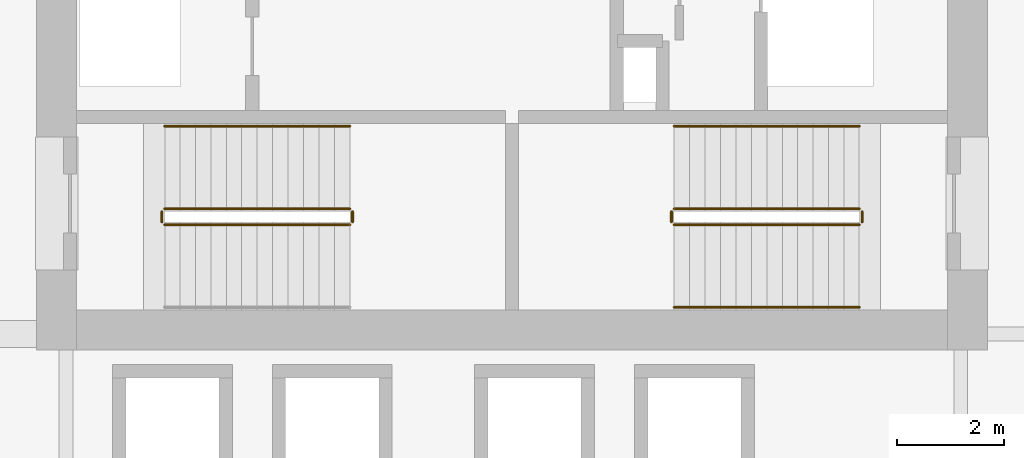
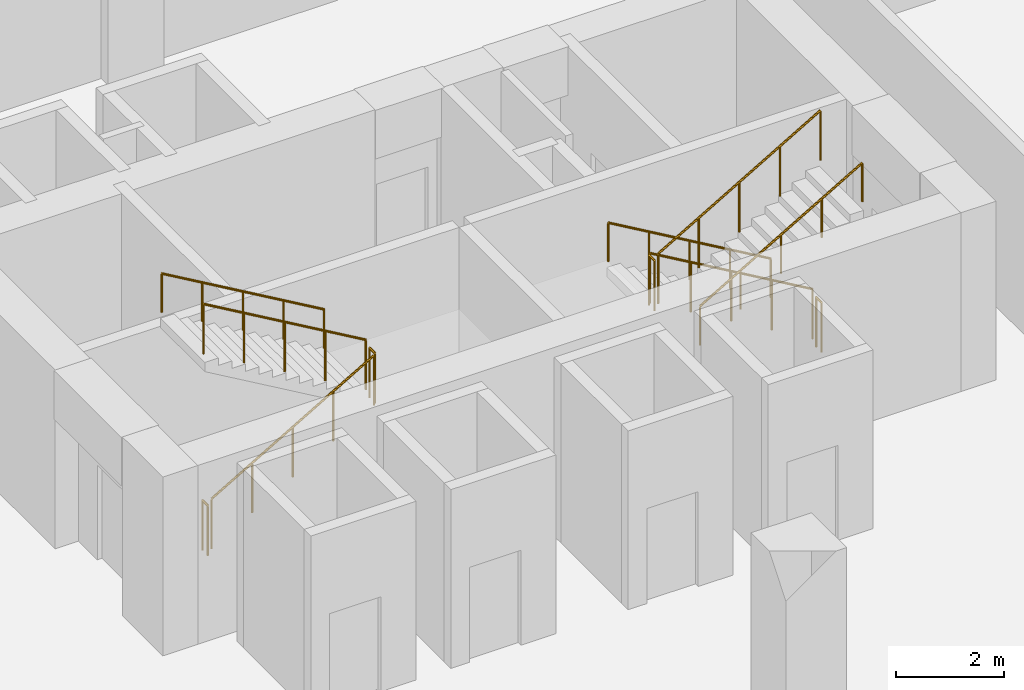
# One storey, part 22 of 24: 11 railings.
"""IFC4 building model written with IfcOpenShell, lengths in metres."""

from ifc_helpers import new_model, si_unit, direction, frame, origin, origin_2d, place, context, subcontext, project, spatial, circle, extrude, material, type_object, element, save


model = new_model("IFC4")

# Units and contexts
model_context = context("Model", 3, precision=1e-05, world=origin(), true_north=direction((0.0, 1.0)))
body_context = subcontext(model_context, "Body", "Model", "MODEL_VIEW")
ifc_project = project(units=[si_unit("LENGTHUNIT", "METRE"), si_unit("AREAUNIT", "SQUARE_METRE"), si_unit("VOLUMEUNIT", "CUBIC_METRE"), si_unit("PLANEANGLEUNIT", "RADIAN"), si_unit("MASSUNIT", "GRAM", prefix="KILO")], contexts=[model_context])

# Site, building, storey
site_placement = place(None, origin())
site = spatial("IfcSite", under=ifc_project, at=site_placement, CompositionType="ELEMENT")
building_placement = place(site_placement, origin())
building = spatial("IfcBuilding", under=site, at=building_placement, Name="Koriwani Terraces Tower", CompositionType="ELEMENT")
storey_placement = place(building_placement, frame((0.0, 0.0, 89.60009765625)))
storey = spatial("IfcBuildingStorey", under=building, at=storey_placement, Name="L21", CompositionType="ELEMENT", Elevation=89.60009765625)

# Railings
ifc_material = material(Name="Steel ASTM A572 Grade 50", Category="steel")
railing_type_1 = type_object("IfcRailingType", Name="GUARD_STAIR_WELL_1120", PredefinedType="GUARDRAIL", material=ifc_material)
railing_1_placement = place(storey_placement, frame((43.85009765625, 18.85009765625, 0.169189453125)))
element("IfcRailing", 1, at=railing_1_placement, inside=storey, type_object=railing_type_1, Name="L21 ST-E1 stair guard 1", PredefinedType="GUARDRAIL", context=body_context, shape_type="SweptSolid", body=[
    extrude(circle(Radius=0.02392578125, at=origin_2d()), frame((0.0, 0.0, 1.1259765625), z_axis=(0.863695377172, 0.0, 0.504014181796), x_axis=(0.0, 1.0, 0.0)), (0.0, 0.0, 1.0), 4.029296875),
    extrude(circle(Radius=0.02099609375, at=origin_2d()), origin(), (0.0, 0.0, 1.0), 1.101806640625),
    extrude(circle(Radius=0.02099609375, at=origin_2d()), frame((0.8701171875, 0.0, 0.5078125)), (0.0, 0.0, 1.0), 1.101806640625),
    extrude(circle(Radius=0.02099609375, at=origin_2d()), frame((1.739990234375, 0.0, 1.015380859375)), (0.0, 0.0, 1.0), 1.101806640625),
    extrude(circle(Radius=0.02099609375, at=origin_2d()), frame((2.60986328125, 0.0, 1.52294921875)), (0.0, 0.0, 1.0), 1.101806640625),
    extrude(circle(Radius=0.02099609375, at=origin_2d()), frame((3.47998046875, 0.0, 2.03076171875)), (0.0, 0.0, 1.0), 1.101806640625),
])
railing_2_placement = place(storey_placement, frame((47.3798828125, 18.89990234375, 2.199951171875)))
element("IfcRailing", 2, at=railing_2_placement, inside=storey, type_object=railing_type_1, Name="L21 ST-E1 stair guard 2", PredefinedType="GUARDRAIL", context=body_context, shape_type="SweptSolid", body=[
    extrude(circle(Radius=0.02392578125, at=origin_2d()), frame((0.0, 0.0, 1.1259765625), z_axis=(0.0, 1.0, 0.0), x_axis=(-1.0, 0.0, 0.0)), (0.0, 0.0, 1.0), 0.2001953125),
    extrude(circle(Radius=0.02099609375, at=origin_2d()), origin(), (0.0, 0.0, 1.0), 1.101806640625),
    extrude(circle(Radius=0.02099609375, at=origin_2d()), frame((0.0, 0.2001953125, 0.0)), (0.0, 0.0, 1.0), 1.101806640625),
])
railing_3_placement = place(storey_placement, frame((47.330078125, 19.14990234375, 2.369140625)))
element("IfcRailing", 3, at=railing_3_placement, inside=storey, type_object=railing_type_1, Name="L21 ST-E1 stair guard 3", PredefinedType="GUARDRAIL", context=body_context, shape_type="SweptSolid", body=[
    extrude(circle(Radius=0.02392578125, at=origin_2d()), frame((0.0, 0.0, 1.1259765625), z_axis=(-0.863695377172, 0.0, 0.504014181796), x_axis=(0.0, -1.0, 0.0)), (0.0, 0.0, 1.0), 4.029296875),
    extrude(circle(Radius=0.02099609375, at=origin_2d()), origin(), (0.0, 0.0, 1.0), 1.101806640625),
    extrude(circle(Radius=0.02099609375, at=origin_2d()), frame((-0.8701171875, 0.0, 0.5078125)), (0.0, 0.0, 1.0), 1.101806640625),
    extrude(circle(Radius=0.02099609375, at=origin_2d()), frame((-1.739990234375, 0.0, 1.015380859375)), (0.0, 0.0, 1.0), 1.101806640625),
    extrude(circle(Radius=0.02099609375, at=origin_2d()), frame((-2.60986328125, 0.0, 1.52294921875)), (0.0, 0.0, 1.0), 1.101806640625),
    extrude(circle(Radius=0.02099609375, at=origin_2d()), frame((-3.47998046875, 0.0, 2.03076171875)), (0.0, 0.0, 1.0), 1.101806640625),
])
railing_4_placement = place(storey_placement, frame((43.800048828125, 18.89990234375, 0.0)))
element("IfcRailing", 4, at=railing_4_placement, inside=storey, type_object=railing_type_1, Name="L21 ST-E1 stair guard 4", PredefinedType="GUARDRAIL", context=body_context, shape_type="SweptSolid", body=[
    extrude(circle(Radius=0.02392578125, at=origin_2d()), frame((0.0, 0.0, 1.1259765625), z_axis=(0.0, 1.0, 0.0), x_axis=(-1.0, 0.0, 0.0)), (0.0, 0.0, 1.0), 0.2001953125),
    extrude(circle(Radius=0.02099609375, at=origin_2d()), origin(), (0.0, 0.0, 1.0), 1.101806640625),
    extrude(circle(Radius=0.02099609375, at=origin_2d()), frame((0.0, 0.2001953125, 0.0)), (0.0, 0.0, 1.0), 1.101806640625),
])
railing_5_placement = place(storey_placement, frame((56.89990234375, 19.14990234375, 0.169189453125)))
element("IfcRailing", 5, at=railing_5_placement, inside=storey, type_object=railing_type_1, Name="L21 ST-E2 stair guard 1", PredefinedType="GUARDRAIL", context=body_context, shape_type="SweptSolid", body=[
    extrude(circle(Radius=0.02392578125, at=origin_2d()), frame((0.0, 0.0, 1.1259765625), z_axis=(-0.863695377172, 0.0, 0.504014181796), x_axis=(0.0, -1.0, 0.0)), (0.0, 0.0, 1.0), 4.029296875),
    extrude(circle(Radius=0.02099609375, at=origin_2d()), origin(), (0.0, 0.0, 1.0), 1.101806640625),
    extrude(circle(Radius=0.02099609375, at=origin_2d()), frame((-0.8701171875, 0.0, 0.5078125)), (0.0, 0.0, 1.0), 1.101806640625),
    extrude(circle(Radius=0.02099609375, at=origin_2d()), frame((-1.739990234375, 0.0, 1.015380859375)), (0.0, 0.0, 1.0), 1.101806640625),
    extrude(circle(Radius=0.02099609375, at=origin_2d()), frame((-2.60986328125, 0.0, 1.52294921875)), (0.0, 0.0, 1.0), 1.101806640625),
    extrude(circle(Radius=0.02099609375, at=origin_2d()), frame((-3.47998046875, 0.0, 2.03076171875)), (0.0, 0.0, 1.0), 1.101806640625),
])
railing_6_placement = place(storey_placement, frame((53.3701171875, 19.10009765625, 2.199951171875)))
element("IfcRailing", 6, at=railing_6_placement, inside=storey, type_object=railing_type_1, Name="L21 ST-E2 stair guard 2", PredefinedType="GUARDRAIL", context=body_context, shape_type="SweptSolid", body=[
    extrude(circle(Radius=0.02392578125, at=origin_2d()), frame((0.0, 0.0, 1.1259765625), z_axis=(0.0, -1.0, 0.0), x_axis=(1.0, 0.0, 0.0)), (0.0, 0.0, 1.0), 0.2001953125),
    extrude(circle(Radius=0.02099609375, at=origin_2d()), origin(), (0.0, 0.0, 1.0), 1.101806640625),
    extrude(circle(Radius=0.02099609375, at=origin_2d()), frame((0.0, -0.2001953125, 0.0)), (0.0, 0.0, 1.0), 1.101806640625),
])
railing_7_placement = place(storey_placement, frame((53.419921875, 18.85009765625, 2.369140625)))
element("IfcRailing", 7, at=railing_7_placement, inside=storey, type_object=railing_type_1, Name="L21 ST-E2 stair guard 3", PredefinedType="GUARDRAIL", context=body_context, shape_type="SweptSolid", body=[
    extrude(circle(Radius=0.02392578125, at=origin_2d()), frame((0.0, 0.0, 1.1259765625), z_axis=(0.863695377172, 0.0, 0.504014181796), x_axis=(0.0, 1.0, 0.0)), (0.0, 0.0, 1.0), 4.029296875),
    extrude(circle(Radius=0.02099609375, at=origin_2d()), origin(), (0.0, 0.0, 1.0), 1.101806640625),
    extrude(circle(Radius=0.02099609375, at=origin_2d()), frame((0.8701171875, 0.0, 0.5078125)), (0.0, 0.0, 1.0), 1.101806640625),
    extrude(circle(Radius=0.02099609375, at=origin_2d()), frame((1.739990234375, 0.0, 1.015380859375)), (0.0, 0.0, 1.0), 1.101806640625),
    extrude(circle(Radius=0.02099609375, at=origin_2d()), frame((2.60986328125, 0.0, 1.52294921875)), (0.0, 0.0, 1.0), 1.101806640625),
    extrude(circle(Radius=0.02099609375, at=origin_2d()), frame((3.47998046875, 0.0, 2.03076171875)), (0.0, 0.0, 1.0), 1.101806640625),
])
railing_8_placement = place(storey_placement, frame((56.949951171875, 19.10009765625, 0.0)))
element("IfcRailing", 8, at=railing_8_placement, inside=storey, type_object=railing_type_1, Name="L21 ST-E2 stair guard 4", PredefinedType="GUARDRAIL", context=body_context, shape_type="SweptSolid", body=[
    extrude(circle(Radius=0.02392578125, at=origin_2d()), frame((0.0, 0.0, 1.1259765625), z_axis=(0.0, -1.0, 0.0), x_axis=(1.0, 0.0, 0.0)), (0.0, 0.0, 1.0), 0.2001953125),
    extrude(circle(Radius=0.02099609375, at=origin_2d()), origin(), (0.0, 0.0, 1.0), 1.101806640625),
    extrude(circle(Radius=0.02099609375, at=origin_2d()), frame((0.0, -0.2001953125, 0.0)), (0.0, 0.0, 1.0), 1.101806640625),
])
railing_type_2 = type_object("IfcRailingType", Name="HANDRAIL_STAIR_920", PredefinedType="HANDRAIL", material=ifc_material)
for number, where, name in (
    (9, (47.330078125, 20.699951171875, 2.369140625), "L21 ST-E1 stair handrail 2"),
    (10, (56.89990234375, 20.699951171875, 0.169189453125), "L21 ST-E2 stair handrail 1"),
):
    element("IfcRailing", number, at=place(storey_placement, frame(where)), inside=storey, type_object=railing_type_2, Name=name, PredefinedType="HANDRAIL", context=body_context, shape_type="SweptSolid", body=[
        extrude(circle(Radius=0.02392578125, at=origin_2d()), frame((0.0, 0.0, 0.8759765625), z_axis=(-0.863695377172, 0.0, 0.504014181796), x_axis=(0.0, -1.0, 0.0)), (0.0, 0.0, 1.0), 4.029296875),
        extrude(circle(Radius=0.02099609375, at=origin_2d()), origin(), (0.0, 0.0, 1.0), 0.851806640625),
        extrude(circle(Radius=0.02099609375, at=origin_2d()), frame((-0.8701171875, 0.0, 0.5078125)), (0.0, 0.0, 1.0), 0.851806640625),
        extrude(circle(Radius=0.02099609375, at=origin_2d()), frame((-1.739990234375, 0.0, 1.015380859375)), (0.0, 0.0, 1.0), 0.851806640625),
        extrude(circle(Radius=0.02099609375, at=origin_2d()), frame((-2.60986328125, 0.0, 1.52294921875)), (0.0, 0.0, 1.0), 0.851806640625),
        extrude(circle(Radius=0.02099609375, at=origin_2d()), frame((-3.47998046875, 0.0, 2.03076171875)), (0.0, 0.0, 1.0), 0.851806640625),
    ])
railing_9_placement = place(storey_placement, frame((53.419921875, 17.300048828125, 2.369140625)))
element("IfcRailing", 11, at=railing_9_placement, inside=storey, type_object=railing_type_2, Name="L21 ST-E2 stair handrail 2", PredefinedType="HANDRAIL", context=body_context, shape_type="SweptSolid", body=[
    extrude(circle(Radius=0.02392578125, at=origin_2d()), frame((0.0, 0.0, 0.8759765625), z_axis=(0.863695377172, 0.0, 0.504014181796), x_axis=(0.0, 1.0, 0.0)), (0.0, 0.0, 1.0), 4.029296875),
    extrude(circle(Radius=0.02099609375, at=origin_2d()), origin(), (0.0, 0.0, 1.0), 0.851806640625),
    extrude(circle(Radius=0.02099609375, at=origin_2d()), frame((0.8701171875, 0.0, 0.5078125)), (0.0, 0.0, 1.0), 0.851806640625),
    extrude(circle(Radius=0.02099609375, at=origin_2d()), frame((1.739990234375, 0.0, 1.015380859375)), (0.0, 0.0, 1.0), 0.851806640625),
    extrude(circle(Radius=0.02099609375, at=origin_2d()), frame((2.60986328125, 0.0, 1.52294921875)), (0.0, 0.0, 1.0), 0.851806640625),
    extrude(circle(Radius=0.02099609375, at=origin_2d()), frame((3.47998046875, 0.0, 2.03076171875)), (0.0, 0.0, 1.0), 0.851806640625),
])

save(model, "model.ifc")
